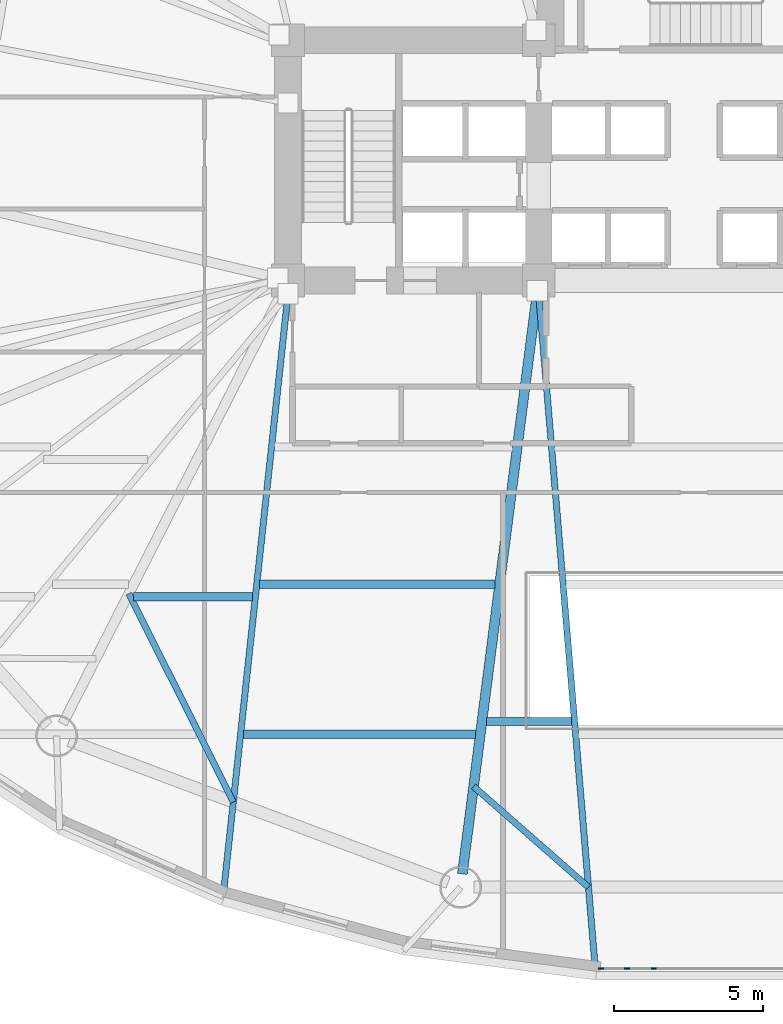
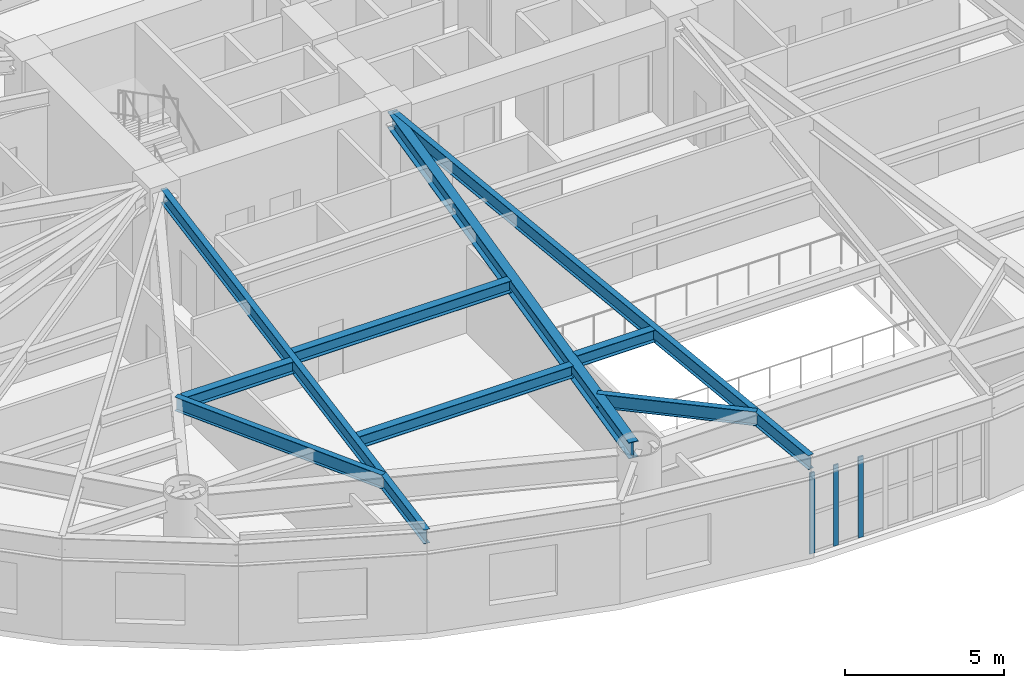
# One storey, part 2 of 19: 9 beams, 3 members, 1 element without a shape of its own.
"""IFC4 building model written with IfcOpenShell, lengths in metres."""

import ifcopenshell
import ifcopenshell.guid

model = None  # the IFC model being written
_history = None  # IfcOwnerHistory: only IFC2X3 demands one
_inside = {}  # id of a spatial element -> (the spatial element, [elements in it])
_under = {}  # id of a project, library or spatial element -> (it, [spatial elements below it])
_declared = {}  # id of a project -> (the project, [libraries it declares])
_typed = {}  # id of a type object -> (the type object, [elements of that type])
_made_of = {}  # id of a material, layer set ... -> (it, [elements and type objects made of it])


def new_model(schema):
    """Start an empty IFC model of exactly this schema.

    Asked for "IFC4X3", IfcOpenShell would pick the latest addendum, in which some entities
    have other attributes; the version numbers below select the first issue.
    IFC2X3 requires an IfcOwnerHistory on every rooted entity: one is made here for all.
    """
    global model, _history
    if schema == "IFC4X3":
        model = ifcopenshell.file(schema_version=(4, 3, 0, 0))
    else:
        model = ifcopenshell.file(schema=schema)
    _inside.clear()
    _under.clear()
    _declared.clear()
    _typed.clear()
    _made_of.clear()
    _history = None
    if model.schema == "IFC2X3":
        org = make("IfcOrganization", Name="unknown")
        user = make(
            "IfcPersonAndOrganization",
            ThePerson=make("IfcPerson", FamilyName="unknown"),
            TheOrganization=org,
        )
        app = make(
            "IfcApplication",
            ApplicationDeveloper=org,
            Version="unknown",
            ApplicationFullName="unknown",
            ApplicationIdentifier="unknown",
        )
        _history = make(
            "IfcOwnerHistory",
            OwningUser=user,
            OwningApplication=app,
            ChangeAction="ADDED",
            CreationDate=0,
        )
    return model


def make(cls, **values):
    """One entity of the class cls with the attributes given. An attribute that is None is left unset."""
    return model.create_entity(
        cls, **{name: value for name, value in values.items() if value is not None}
    )


def rooted(cls, **values):
    """An entity with a GlobalId (a new one), such as an element, a storey or a relation."""
    return make(cls, GlobalId=ifcopenshell.guid.new(), OwnerHistory=_history, **values)


def si_unit(unit_type, name, prefix=None):
    """IfcSIUnit, for example si_unit("LENGTHUNIT", "METRE", prefix="MILLI")."""
    return make("IfcSIUnit", UnitType=unit_type, Prefix=prefix, Name=name)


def assignment(units):
    """IfcUnitAssignment: the units of a project."""
    return None if units is None else make("IfcUnitAssignment", Units=units)


def point(xyz):
    """IfcCartesianPoint."""
    return None if xyz is None else make("IfcCartesianPoint", Coordinates=xyz)


def direction(xyz):
    """IfcDirection."""
    return None if xyz is None else make("IfcDirection", DirectionRatios=xyz)


def frame(location, z_axis=None, x_axis=None):
    """IfcAxis2Placement3D, a coordinate frame: its origin and axes. An axis left out is left unset."""
    return make(
        "IfcAxis2Placement3D",
        Location=point(location),
        Axis=direction(z_axis),
        RefDirection=direction(x_axis),
    )


def frame_2d(location, x_axis=None):
    """IfcAxis2Placement2D, a coordinate frame in the plane: its origin and x axis."""
    return make(
        "IfcAxis2Placement2D", Location=point(location), RefDirection=direction(x_axis)
    )


def origin():
    """The frame at (0, 0, 0) with its axes left unset."""
    return frame((0.0, 0.0, 0.0))


def origin_2d():
    """The frame at (0, 0) in the plane with its x axis left unset."""
    return frame_2d((0.0, 0.0))


def place(relative_to, where):
    """IfcLocalPlacement: puts the frame where relative to a parent placement (None: the world)."""
    return make(
        "IfcLocalPlacement", PlacementRelTo=relative_to, RelativePlacement=where
    )


def context(
    kind, dimensions, precision=None, world=None, true_north=None, identifier=None
):
    """IfcGeometricRepresentationContext, for example the 3D "Model" context."""
    return make(
        "IfcGeometricRepresentationContext",
        ContextIdentifier=identifier,
        ContextType=kind,
        CoordinateSpaceDimension=dimensions,
        Precision=precision,
        WorldCoordinateSystem=world,
        TrueNorth=true_north,
    )


def subcontext(parent, identifier, kind, view, scale=None):
    """IfcGeometricRepresentationSubContext, for example "Body" below "Model"."""
    return make(
        "IfcGeometricRepresentationSubContext",
        ContextIdentifier=identifier,
        ContextType=kind,
        ParentContext=parent,
        TargetScale=scale,
        TargetView=view,
    )


def project(units=None, contexts=None):
    """IfcProject with its units and contexts."""
    return rooted(
        "IfcProject",
        Name="project",
        RepresentationContexts=contexts,
        UnitsInContext=assignment(units),
    )


def spatial(cls, under=None, at=None, **own):
    """A site, building, storey or space (cls), placed at a placement, below another one or the project."""
    s = rooted(cls, ObjectPlacement=at, **own)
    if under is not None:
        _under.setdefault(under.id(), (under, []))[1].append(s)
    return s


def profile(cls, at=None, kind="AREA", **sizes):
    """A parametric profile (cls). Its sizes go by their IFC names, for example OverallWidth=200.0."""
    return make(cls, ProfileType=kind, Position=at, **sizes)


def rectangle(**sizes):
    """IfcRectangleProfileDef."""
    return profile("IfcRectangleProfileDef", **sizes)


def i_section(**sizes):
    """IfcIShapeProfileDef."""
    return profile("IfcIShapeProfileDef", **sizes)


def extrude(swept, where, along, depth):
    """IfcExtrudedAreaSolid: the profile swept, set in the frame where, extruded along a direction by depth."""
    return make(
        "IfcExtrudedAreaSolid",
        SweptArea=swept,
        Position=where,
        ExtrudedDirection=direction(along),
        Depth=depth,
    )


def shape(context_of_items, identifier, shape_type, items):
    """IfcShapeRepresentation: the items that make up one representation, for example the "Body"."""
    return make(
        "IfcShapeRepresentation",
        ContextOfItems=context_of_items,
        RepresentationIdentifier=identifier,
        RepresentationType=shape_type,
        Items=items,
    )


def material(Name=None, Category=None):
    """IfcMaterial."""
    return make("IfcMaterial", Name=Name, Category=Category)


def layer(
    of_material, thickness, ventilated=None, Name=None, Category=None, Priority=None
):
    """IfcMaterialLayer: one layer of a wall or slab, of a material (None: an air gap)."""
    return make(
        "IfcMaterialLayer",
        Material=of_material,
        LayerThickness=thickness,
        IsVentilated=ventilated,
        Name=Name,
        Category=Category,
        Priority=Priority,
    )


def layer_set(layers, Name=None):
    """IfcMaterialLayerSet."""
    return make("IfcMaterialLayerSet", MaterialLayers=layers, LayerSetName=Name)


def material_profile(
    of_material, cross_section, Name=None, Category=None, Priority=None
):
    """IfcMaterialProfile: a cross section and its material."""
    return make(
        "IfcMaterialProfile",
        Name=Name,
        Material=of_material,
        Profile=cross_section,
        Priority=Priority,
        Category=Category,
    )


def profile_set(profiles, Name=None, composite=None):
    """IfcMaterialProfileSet."""
    return make(
        "IfcMaterialProfileSet",
        Name=Name,
        MaterialProfiles=profiles,
        CompositeProfile=composite,
    )


def made_of(thing, what):
    """Note that an element or type object is made of a material, layer set ...; save() writes the relation."""
    if what is not None:
        _made_of.setdefault(what.id(), (what, []))[1].append(thing)
    return thing


def type_object(cls, material=None, **own):
    """A type object (cls), such as IfcWallType, which elements share."""
    return made_of(rooted(cls, **own), material)


def element(
    cls,
    number,
    at=None,
    inside=None,
    cuts=None,
    type_object=None,
    material=None,
    context=None,
    identifier="Body",
    shape_type=None,
    held_by="IfcProductDefinitionShape",
    body=None,
    shapes=None,
    **own,
):
    """One element of the class cls, such as IfcWall. Its Tag is "e" and its number.

    at: its placement. inside: the storey or other place that contains it. cuts: it is an
    opening in that element (IfcRelVoidsElement). A single representation is given by context,
    identifier, shape_type and body (its items); several are given by shapes. held_by: the class
    of the entity that holds the representations. save() writes the other relations.
    """
    e = rooted(cls, Tag="e%d" % number, ObjectPlacement=at, **own)
    if body is not None:
        shapes = [shape(context, identifier, shape_type, body)]
    if shapes is not None:
        e.Representation = make(held_by, Representations=shapes)
    if inside is not None:
        _inside.setdefault(inside.id(), (inside, []))[1].append(e)
    if cuts is not None:
        rooted(
            "IfcRelVoidsElement", RelatingBuildingElement=cuts, RelatedOpeningElement=e
        )
    if type_object is not None:
        _typed.setdefault(type_object.id(), (type_object, []))[1].append(e)
    return made_of(e, material)


def aggregate(whole, parts):
    """IfcRelAggregates: a whole, such as a stair, and the parts it consists of."""
    return rooted("IfcRelAggregates", RelatingObject=whole, RelatedObjects=parts)


def save(model, path):
    """Write the relations noted so far, then the file.

    IfcRelAggregates (storeys below a building ...), IfcRelContainedInSpatialStructure (elements
    in a storey), IfcRelDefinesByType, IfcRelAssociatesMaterial and IfcRelDeclares: one each for
    every whole, place, type object, material and project.
    """
    for whole, parts in _under.values():
        aggregate(whole, parts)
    for where, things in _inside.values():
        rooted(
            "IfcRelContainedInSpatialStructure",
            RelatedElements=things,
            RelatingStructure=where,
        )
    for kind, things in _typed.values():
        rooted("IfcRelDefinesByType", RelatedObjects=things, RelatingType=kind)
    for what, things in _made_of.values():
        rooted("IfcRelAssociatesMaterial", RelatedObjects=things, RelatingMaterial=what)
    for by, libraries in _declared.values():
        rooted("IfcRelDeclares", RelatingContext=by, RelatedDefinitions=libraries)
    model.write(path)


model = new_model("IFC4")

# Units and contexts
model_context = context("Model", 3, precision=1e-05, world=origin(), true_north=direction((0.0, 1.0)))
body_context = subcontext(model_context, "Body", "Model", "MODEL_VIEW")
ifc_project = project(units=[si_unit("LENGTHUNIT", "METRE"), si_unit("AREAUNIT", "SQUARE_METRE"), si_unit("VOLUMEUNIT", "CUBIC_METRE"), si_unit("PLANEANGLEUNIT", "RADIAN"), si_unit("MASSUNIT", "GRAM", prefix="KILO")], contexts=[model_context])

# Site, building, storey
site_placement = place(None, origin())
site = spatial("IfcSite", under=ifc_project, at=site_placement, CompositionType="ELEMENT")
building_placement = place(site_placement, origin())
building = spatial("IfcBuilding", under=site, at=building_placement, Name="Keldmark Tower", CompositionType="ELEMENT")
storey_placement = place(building_placement, frame((0.0, 0.0, 10.199951171875)))
storey = spatial("IfcBuildingStorey", under=building, at=storey_placement, Name="L02", CompositionType="ELEMENT", Elevation=10.199951171875)

# Beams
ifc_material_1 = material(Name="Steel ASTM A992 Grade 50", Category="steel")
ifc_material_profile_1 = material_profile(ifc_material_1, i_section(OverallWidth=0.280029296875, OverallDepth=0.462890625, WebThickness=0.0107421875, FlangeThickness=0.017333984375, at=origin_2d()), Name="W18X76")
ifc_profile_set_1 = profile_set([ifc_material_profile_1], Name="Steel ASTM A992 Grade 50")
beam_type_1 = type_object("IfcBeamType", Name="Composite Floor Joist W18X76", PredefinedType="JOIST", material=ifc_profile_set_1)
beam_1_placement = place(storey_placement, frame((-15.091796875, -13.800048828125, 3.74853515625), z_axis=(1.0, 0.0, 0.0), x_axis=(0.0, 1.0, 0.0)))
element("IfcBeam", 1, at=beam_1_placement, inside=storey, type_object=beam_type_1, Name="L02 Composite Floor Joist J02", PredefinedType="JOIST", context=body_context, shape_type="SweptSolid", body=[
    extrude(i_section(OverallWidth=0.280029296875, OverallDepth=0.462890625, WebThickness=0.0107421875, FlangeThickness=0.017333984375, at=origin_2d()), origin(), (0.0, 0.0, 1.0), 7.780029296875),
])
beam_2_placement = place(storey_placement, frame((-6.946044921875, -13.3798828125, 3.74853515625), z_axis=(1.0, 0.0, 0.0), x_axis=(0.0, 1.0, 0.0)))
element("IfcBeam", 2, at=beam_2_placement, inside=storey, type_object=beam_type_1, Name="L02 Composite Floor Joist J03", PredefinedType="JOIST", context=body_context, shape_type="SweptSolid", body=[
    extrude(i_section(OverallWidth=0.280029296875, OverallDepth=0.462890625, WebThickness=0.0107421875, FlangeThickness=0.017333984375, at=origin_2d()), origin(), (0.0, 0.0, 1.0), 2.851806640625),
])
beam_3_placement = place(storey_placement, frame((-18.772216796875, -9.199951171875, 3.74853515625), z_axis=(1.0, 0.0, 0.0), x_axis=(0.0, 1.0, 0.0)))
element("IfcBeam", 3, at=beam_3_placement, inside=storey, type_object=beam_type_1, Name="L02 Composite Floor Joist J10", PredefinedType="JOIST", context=body_context, shape_type="SweptSolid", body=[
    extrude(i_section(OverallWidth=0.280029296875, OverallDepth=0.462890625, WebThickness=0.0107421875, FlangeThickness=0.017333984375, at=origin_2d()), origin(), (0.0, 0.0, 1.0), 3.982421875),
])
beam_4_placement = place(storey_placement, frame((-14.55126953125, -8.780029296875, 3.74853515625), z_axis=(1.0, 0.0, 0.0), x_axis=(0.0, 1.0, 0.0)))
element("IfcBeam", 4, at=beam_4_placement, inside=storey, type_object=beam_type_1, Name="L02 Composite Floor Joist J11", PredefinedType="JOIST", context=body_context, shape_type="SweptSolid", body=[
    extrude(i_section(OverallWidth=0.280029296875, OverallDepth=0.462890625, WebThickness=0.0107421875, FlangeThickness=0.017333984375, at=origin_2d()), origin(), (0.0, 0.0, 1.0), 7.885498046875),
])

# Curtain wall, members
ifc_material_2 = material(Name="Unitized Thermally Broken Aluminum and Triple Low-E Glazing", Category="aluminium")
ifc_layer = layer(ifc_material_2, 0.219970703125)
ifc_layer_set = layer_set([ifc_layer], Name="Unitized Thermally Broken Aluminum and Triple Low-E Glazing")
curtain_wall_type = type_object("IfcCurtainWallType", Name="Podium Wintergarden Curtain Wall System", PredefinedType="NOTDEFINED", material=ifc_layer_set)
curtain_wall_placement = place(storey_placement, origin())
curtain_wall = element("IfcCurtainWall", 5, at=curtain_wall_placement, inside=storey, type_object=curtain_wall_type, Name="L02 Podium Wintergarden Curtain Wall System CW-L02-24", PredefinedType="NOTDEFINED")
ifc_material_3 = material(Name="Extruded Aluminum Alloy 6063-T6", Category="aluminium")
ifc_material_profile_2 = material_profile(ifc_material_3, rectangle(XDim=0.06005859375, YDim=0.179931640625, at=origin_2d()), Name="CWM60X180")
ifc_profile_set_2 = profile_set([ifc_material_profile_2], Name="Extruded Aluminum Alloy 6063-T6")
member_type = type_object("IfcMemberType", Name="Curtain Wall Structural Mullion 60x180", PredefinedType="MULLION", material=ifc_profile_set_2)
member_1_placement = place(storey_placement, frame((-1.34716796875, -21.654052734375, 0.0), z_axis=(0.0, 0.0, 1.0), x_axis=(0.0, -1.0, 0.0)))
member_1 = element("IfcMember", 6, at=member_1_placement, type_object=member_type, Name="CW mullion 6", PredefinedType="MULLION", context=body_context, shape_type="SweptSolid", body=[
    extrude(rectangle(XDim=0.06005859375, YDim=0.179931640625, at=origin_2d()), origin(), (0.0, 0.0, 1.0), 3.109130859375),
])
member_2_placement = place(storey_placement, frame((-2.245361328125, -21.654052734375, 0.0), z_axis=(0.0, 0.0, 1.0), x_axis=(0.0, -1.0, 0.0)))
member_2 = element("IfcMember", 7, at=member_2_placement, type_object=member_type, Name="CW mullion 7", PredefinedType="MULLION", context=body_context, shape_type="SweptSolid", body=[
    extrude(rectangle(XDim=0.06005859375, YDim=0.179931640625, at=origin_2d()), origin(), (0.0, 0.0, 1.0), 3.109130859375),
])
member_3_placement = place(storey_placement, frame((-3.113525390625, -21.654052734375, 0.0), z_axis=(0.0, 0.0, 1.0), x_axis=(0.0, -1.0, 0.0)))
member_3 = element("IfcMember", 8, at=member_3_placement, type_object=member_type, Name="CW mullion 8", PredefinedType="MULLION", context=body_context, shape_type="SweptSolid", body=[
    extrude(rectangle(XDim=0.06005859375, YDim=0.179931640625, at=origin_2d()), origin(), (0.0, 0.0, 1.0), 3.109130859375),
])
aggregate(curtain_wall, [member_1, member_2, member_3])

# Beams
ifc_material_4 = material(Name="Steel ASTM A992 Grade 50", Category="steel")
ifc_material_profile_3 = material_profile(ifc_material_4, i_section(OverallWidth=0.2099609375, OverallDepth=0.537109375, WebThickness=0.010986328125, FlangeThickness=0.017333984375, at=origin_2d()), Name="W21X68")
ifc_profile_set_3 = profile_set([ifc_material_profile_3], Name="Steel ASTM A992 Grade 50")
beam_type_2 = type_object("IfcBeamType", Name="Radial Tie Girder W21X68", PredefinedType="BEAM", material=ifc_profile_set_3)
beam_5_placement = place(storey_placement, frame((-18.93310546875, -9.09423828125, 3.711669921875), z_axis=(0.447976051769, -0.894045556469, 0.0), x_axis=(0.894045556469, 0.447976051769, 0.0)))
element("IfcBeam", 9, at=beam_5_placement, inside=storey, type_object=beam_type_2, Name="L02 Framing Pin Header PH-021", PredefinedType="BEAM", context=body_context, shape_type="SweptSolid", body=[
    extrude(i_section(OverallWidth=0.2099609375, OverallDepth=0.537109375, WebThickness=0.010986328125, FlangeThickness=0.017333984375, at=origin_2d()), origin(), (0.0, 0.0, 1.0), 7.811279296875),
])
beam_6_placement = place(storey_placement, frame((-13.60009765625, 0.949951171875, 3.711669921875), z_axis=(-0.10706666985, -0.994251843452, 0.0), x_axis=(0.994251843452, -0.10706666985, 0.0)))
element("IfcBeam", 10, at=beam_6_placement, inside=storey, type_object=beam_type_2, Name="L02 Perimeter Radial Tie Girder RT-22", PredefinedType="BEAM", context=body_context, shape_type="SweptSolid", body=[
    extrude(i_section(OverallWidth=0.2099609375, OverallDepth=0.537109375, WebThickness=0.010986328125, FlangeThickness=0.017333984375, at=origin_2d()), origin(), (0.0, 0.0, 1.0), 20.469970703125),
])
beam_7_placement = place(storey_placement, frame((-7.3818359375, -15.554931640625, 3.711669921875), z_axis=(0.751746259669, -0.659452470671, 0.0), x_axis=(0.659452470671, 0.751746259669, 0.0)))
element("IfcBeam", 11, at=beam_7_placement, inside=storey, type_object=beam_type_2, Name="L02 Framing Pin Header PH-022", PredefinedType="BEAM", context=body_context, shape_type="SweptSolid", body=[
    extrude(i_section(OverallWidth=0.2099609375, OverallDepth=0.537109375, WebThickness=0.010986328125, FlangeThickness=0.017333984375, at=origin_2d()), origin(), (0.0, 0.0, 1.0), 5.12109375),
])
beam_8_placement = place(storey_placement, frame((-5.199951171875, 0.949951171875, 3.711669921875), z_axis=(0.083591035889, -0.996500144867, 0.0), x_axis=(0.996500144867, 0.083591035889, 0.0)))
element("IfcBeam", 12, at=beam_8_placement, inside=storey, type_object=beam_type_2, Name="L02 Perimeter Radial Tie Girder RT-24", PredefinedType="BEAM", context=body_context, shape_type="SweptSolid", body=[
    extrude(i_section(OverallWidth=0.2099609375, OverallDepth=0.537109375, WebThickness=0.010986328125, FlangeThickness=0.017333984375, at=origin_2d()), origin(), (0.0, 0.0, 1.0), 22.92431640625),
])
ifc_material_5 = material(Name="Steel ASTM A992 Grade 50", Category="steel")
ifc_material_profile_4 = material_profile(ifc_material_5, i_section(OverallWidth=0.326904296875, OverallDepth=0.6220703125, WebThickness=0.015380859375, FlangeThickness=0.0244140625, at=origin_2d()), Name="W24X131")
ifc_profile_set_4 = profile_set([ifc_material_profile_4], Name="Steel ASTM A992 Grade 50")
beam_type_3 = type_object("IfcBeamType", Name="Spandrel Ring Beam W24X131", PredefinedType="SPANDREL", material=ifc_profile_set_4)
beam_9_placement = place(storey_placement, frame((-7.7587890625, -18.48583984375, 3.6689453125), z_axis=(0.127622930912, 0.991822760127, 0.0), x_axis=(-0.991822760127, 0.127622930912, 0.0)))
element("IfcBeam", 13, at=beam_9_placement, inside=storey, type_object=beam_type_3, Name="L02 Podium Radial Girder PG-C09", PredefinedType="SPANDREL", context=body_context, shape_type="SweptSolid", body=[
    extrude(i_section(OverallWidth=0.326904296875, OverallDepth=0.6220703125, WebThickness=0.015380859375, FlangeThickness=0.0244140625, at=origin_2d()), origin(), (0.0, 0.0, 1.0), 19.699951171875),
])

save(model, "model.ifc")
